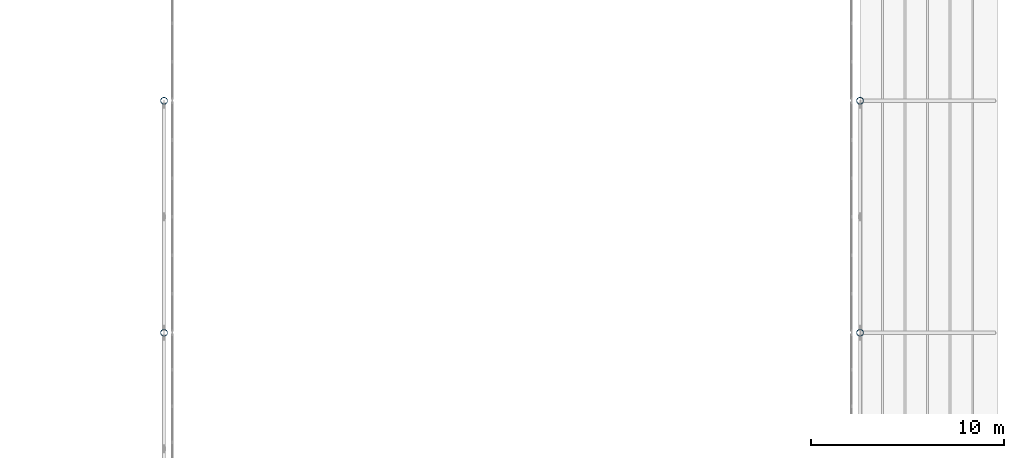
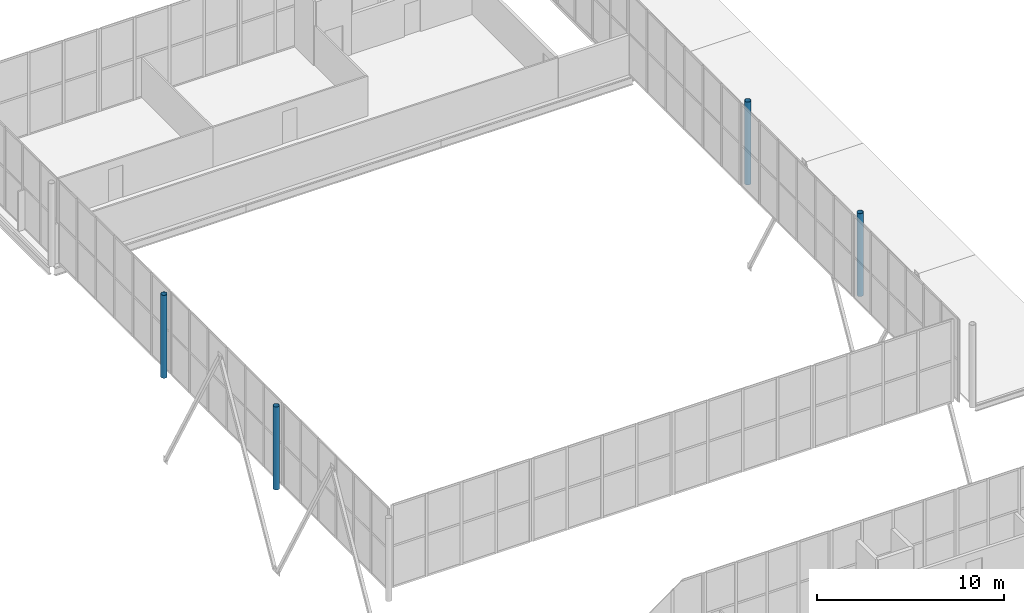
# One storey, part 26 of 170: 4 columns.
"""IFC4 building model written with IfcOpenShell, lengths in metres."""

from ifc_helpers import new_model, si_unit, direction, frame, origin, origin_2d, place, context, subcontext, project, spatial, hollow_circle, extrude, material, material_profile, profile_set, type_object, element, save


model = new_model("IFC4")

# Units and contexts
model_context = context("Model", 3, precision=1e-05, world=origin(), true_north=direction((0.0, 1.0)))
body_context = subcontext(model_context, "Body", "Model", "MODEL_VIEW")
ifc_project = project(units=[si_unit("LENGTHUNIT", "METRE"), si_unit("AREAUNIT", "SQUARE_METRE"), si_unit("VOLUMEUNIT", "CUBIC_METRE"), si_unit("PLANEANGLEUNIT", "RADIAN"), si_unit("MASSUNIT", "GRAM", prefix="KILO")], contexts=[model_context])

# Site, building, storey
site_placement = place(None, origin())
site = spatial("IfcSite", under=ifc_project, at=site_placement, CompositionType="ELEMENT")
building_placement = place(site_placement, origin())
building = spatial("IfcBuilding", under=site, at=building_placement, Name="Ravi Spectrum Wholesale Market", CompositionType="ELEMENT")
storey_placement = place(building_placement, frame((0.0, 0.0, 5.39990234375)))
storey = spatial("IfcBuildingStorey", under=building, at=storey_placement, Name="L01", CompositionType="ELEMENT", Elevation=5.39990234375)

# Columns
ifc_material = material(Name="Steel S355", Category="steel")
ifc_material_profile = material_profile(ifc_material, hollow_circle(Radius=0.177734375, WallThickness=0.012451171875, at=origin_2d()))
ifc_profile_set = profile_set([ifc_material_profile], Name="Steel S355")
column_type = type_object("IfcColumnType", Name="CHS 355.6x12.5 column", PredefinedType="COLUMN", material=ifc_profile_set)
for number, where, z_axis, x_axis, name in (
    (1, (162.0, 150.0, 0.0), (0.0, 0.0, 1.0), (1.0, 0.0, 0.0), "H3-COL-L01-002"),
    (2, (162.0, 162.0, 0.0), (0.0, 0.0, 1.0), (1.0, 0.0, 0.0), "H3-COL-L01-003"),
    (3, (198.0, 150.0, 0.0), (0.0, 0.0, 1.0), (1.0, 0.0, 0.0), "H3-COL-L01-007"),
    (4, (198.0, 162.0, 0.0), (0.0, 0.0, 1.0), (1.0, 0.0, 0.0), "H3-COL-L01-008"),
):
    element("IfcColumn", number, at=place(storey_placement, frame(where, z_axis=z_axis, x_axis=x_axis)), inside=storey, type_object=column_type, Name=name, PredefinedType="COLUMN", context=body_context, shape_type="SweptSolid", body=[
        extrude(hollow_circle(Radius=0.177734375, WallThickness=0.012451171875, at=origin_2d()), origin(), (0.0, 0.0, 1.0), 5.400146484375),
    ])

save(model, "model.ifc")
